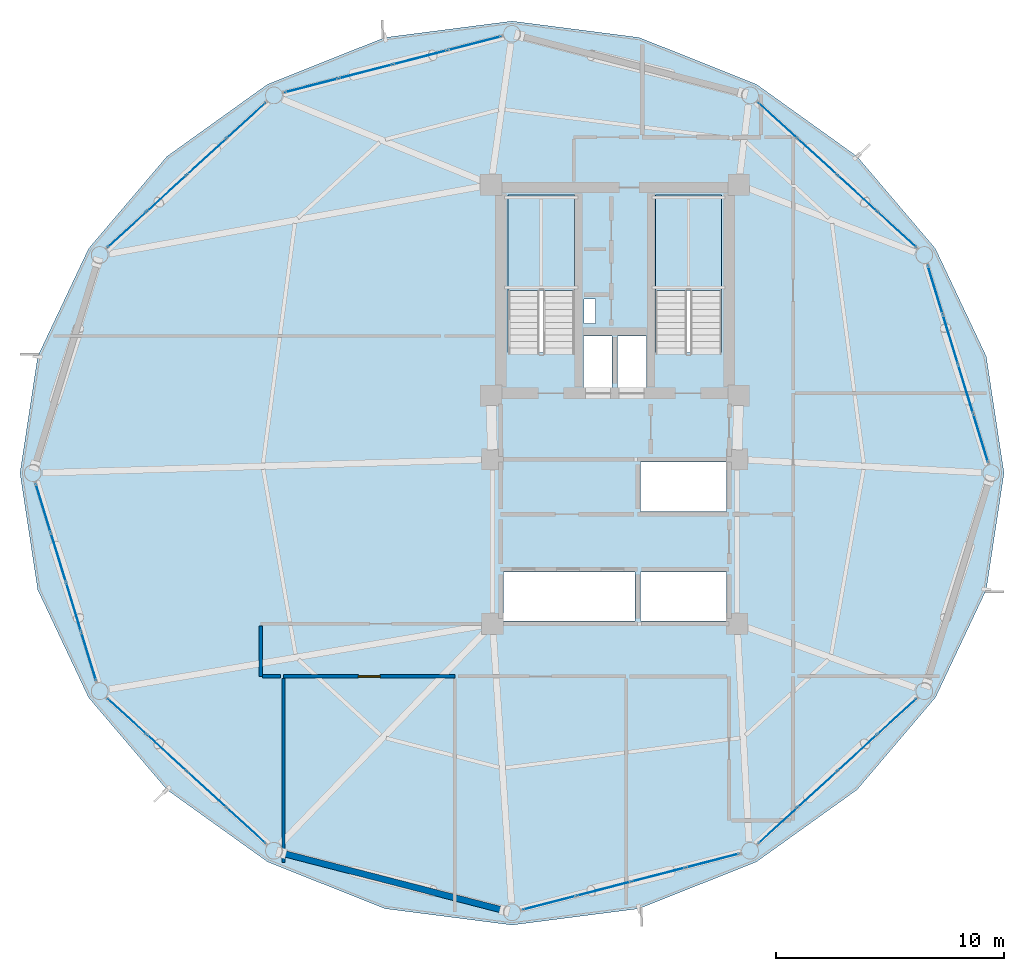
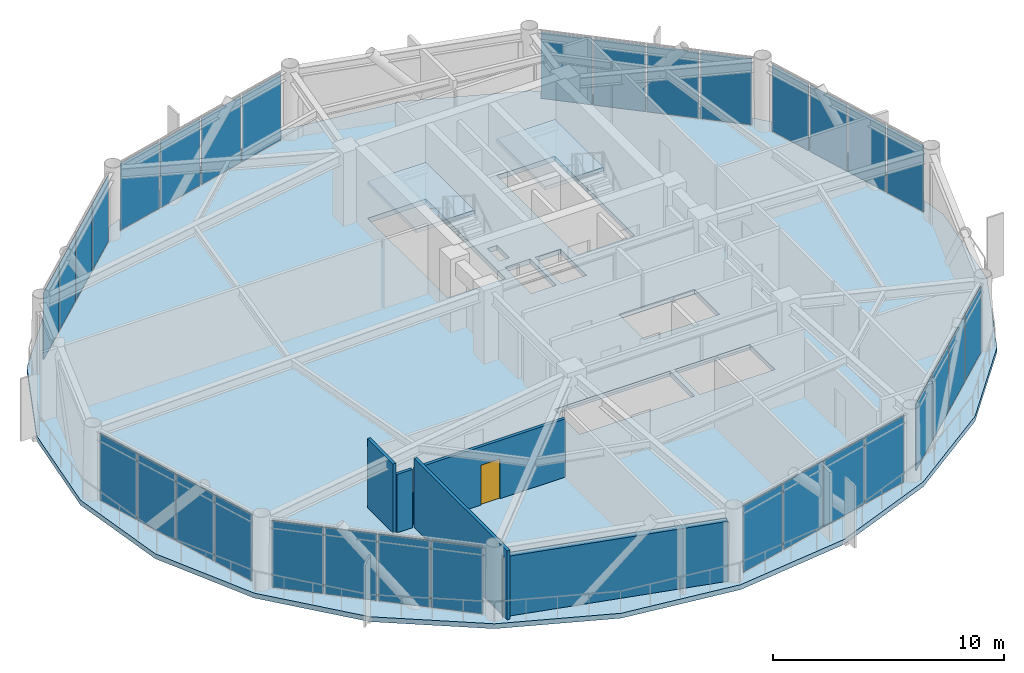
# One storey, part 20 of 26: 32 plates, 5 walls, 3 slabs, 1 door, 1 opening, 10 elements without a shape of their own.
"""IFC4 building model written with IfcOpenShell, lengths in metres."""

from ifc_helpers import new_model, si_unit, direction, frame, frame_2d, origin, origin_2d, place, context, subcontext, project, spatial, polyline, rectangle, outline, extrude, source, transform, mapped, material, layer, layer_set, type_object, type_shapes, element, fill, aggregate, save


model = new_model("IFC4")

# Units and contexts
model_context = context("Model", 3, precision=1e-05, world=origin(), true_north=direction((0.0, 1.0)))
body_context = subcontext(model_context, "Body", "Model", "MODEL_VIEW")
ifc_project = project(units=[si_unit("LENGTHUNIT", "METRE"), si_unit("AREAUNIT", "SQUARE_METRE"), si_unit("VOLUMEUNIT", "CUBIC_METRE"), si_unit("PLANEANGLEUNIT", "RADIAN"), si_unit("MASSUNIT", "GRAM", prefix="KILO")], contexts=[model_context])

# Site, building, storey
site_placement = place(None, origin())
site = spatial("IfcSite", under=ifc_project, at=site_placement, CompositionType="ELEMENT")
building_placement = place(site_placement, origin())
building = spatial("IfcBuilding", under=site, at=building_placement, Name="Varnakorn Sky Granary", CompositionType="ELEMENT")
storey_placement = place(building_placement, frame((0.0, 0.0, 138.300048828125)))
storey = spatial("IfcBuildingStorey", under=building, at=storey_placement, Name="L34", CompositionType="ELEMENT", Elevation=138.300048828125)

# Stair, slab
ifc_material_1 = material(Name="Concrete C40/50", Category="concrete")
stair_type = type_object("IfcStairType", Name="ST-MAIN-ASSEMBLY", PredefinedType="HALF_TURN_STAIR", material=ifc_material_1)
stair_1_placement = place(storey_placement, origin())
stair_1 = element("IfcStair", 1, at=stair_1_placement, inside=storey, type_object=stair_type, Name="L34 Protected Exit Stair ST-1", PredefinedType="HALF_TURN_STAIR")
ifc_layer_1 = layer(ifc_material_1, 0.199951171875, Name="Concrete C40/50")
ifc_layer_set_1 = layer_set([ifc_layer_1], Name="Concrete C40/50")
slab_type_1 = type_object("IfcSlabType", Name="ST-MAIN-LAND", PredefinedType="LANDING", material=ifc_layer_set_1)
slab_1_placement = place(storey_placement, frame((0.0, 0.0, 1.75)))
slab_1 = element("IfcSlab", 2, at=slab_1_placement, type_object=slab_type_1, Name="ST-1 landing 1", PredefinedType="LANDING", context=body_context, shape_type="SweptSolid", body=[
    extrude(outline(polyline([(1.239990234375, 8.0), (1.239990234375, 12.179931640625), (-1.669921875, 12.179931640625), (-1.669921875, 8.0), (1.239990234375, 8.0)])), origin(), (0.0, 0.0, 1.0), 0.199951171875),
])
aggregate(stair_1, [slab_1])

stair_2_placement = place(storey_placement, origin())
stair_2 = element("IfcStair", 3, at=stair_2_placement, inside=storey, type_object=stair_type, Name="L34 Protected Exit Stair ST-2", PredefinedType="HALF_TURN_STAIR")
slab_2_placement = place(storey_placement, frame((0.0, 0.0, 1.75)))
slab_2 = element("IfcSlab", 4, at=slab_2_placement, type_object=slab_type_1, Name="ST-2 landing 1", PredefinedType="LANDING", context=body_context, shape_type="SweptSolid", body=[
    extrude(outline(polyline([(7.679931640625, 8.0), (7.679931640625, 12.179931640625), (4.77001953125, 12.179931640625), (4.77001953125, 8.0), (7.679931640625, 8.0)])), origin(), (0.0, 0.0, 1.0), 0.199951171875),
])
aggregate(stair_2, [slab_2])

# Slab
ifc_material_2 = material(Name="Concrete C50/60", Category="concrete")
ifc_layer_2 = layer(ifc_material_2, 0.260009765625, Name="Concrete C50/60")
ifc_layer_set_2 = layer_set([ifc_layer_2], Name="Concrete C50/60")
slab_type_2 = type_object("IfcSlabType", Name="ST-SL-TWR-260", PredefinedType="FLOOR", material=ifc_layer_set_2)
slab_3_placement = place(storey_placement, frame((0.0, 0.0, -0.260009765625)))
element("IfcSlab", 5, at=slab_3_placement, inside=storey, type_object=slab_type_2, Name="Level L34 Structural Floor Slab", PredefinedType="FLOOR", context=body_context, shape_type="SweptSolid", body=[
    extrude(outline(polyline([(20.032958984375, 0.0), (19.255859375, 5.108154296875), (17.03125, 9.822998046875), (13.598876953125, 13.860107421875), (9.198974609375, 17.013916015625), (4.0615234375, 19.0634765625), (-1.5, 19.781005859375), (-7.0615234375, 19.0634765625), (-12.198974609375, 17.013916015625), (-16.598876953125, 13.860107421875), (-20.03125, 9.822998046875), (-22.255859375, 5.108154296875), (-23.032958984375, 0.0), (-22.255859375, -5.108154296875), (-20.03125, -9.822998046875), (-16.598876953125, -13.860107421875), (-12.198974609375, -17.013916015625), (-7.0615234375, -19.0634765625), (-1.5, -19.781005859375), (4.0615234375, -19.0634765625), (9.198974609375, -17.013916015625), (13.598876953125, -13.860107421875), (17.03125, -9.822998046875), (19.255859375, -5.108154296875), (20.032958984375, 0.0)]), holes=[polyline([(1.239990234375, 5.27490234375), (1.239990234375, 12.179931640625), (-1.669921875, 12.179931640625), (-1.669921875, 5.27490234375), (1.239990234375, 5.27490234375)]), polyline([(7.679931640625, 5.27490234375), (7.679931640625, 12.179931640625), (4.77001953125, 12.179931640625), (4.77001953125, 5.27490234375), (7.679931640625, 5.27490234375)]), polyline([(1.659912109375, 6.550048828125), (2.14990234375, 6.550048828125), (2.14990234375, 7.6201171875), (1.659912109375, 7.6201171875), (1.659912109375, 6.550048828125)]), polyline([(1.6201171875, 3.739990234375), (2.8798828125, 3.739990234375), (2.8798828125, 6.010009765625), (1.6201171875, 6.010009765625), (1.6201171875, 3.739990234375)]), polyline([(3.1201171875, 3.739990234375), (4.3798828125, 3.739990234375), (4.3798828125, 6.010009765625), (3.1201171875, 6.010009765625), (3.1201171875, 3.739990234375)]), polyline([(4.1201171875, -1.679931640625), (7.8798828125, -1.679931640625), (7.8798828125, 0.47998046875), (4.1201171875, 0.47998046875), (4.1201171875, -1.679931640625)]), polyline([(-1.8798828125, -6.47998046875), (3.8798828125, -6.47998046875), (3.8798828125, -4.320068359375), (-1.8798828125, -4.320068359375), (-1.8798828125, -6.47998046875)]), polyline([(4.1201171875, -6.47998046875), (7.8798828125, -6.47998046875), (7.8798828125, -4.320068359375), (4.1201171875, -4.320068359375), (4.1201171875, -6.47998046875)])]), origin(), (0.0, 0.0, 1.0), 0.260009765625),
])

# Curtain wall, plates
ifc_material_3 = material(Name="Anodised Bronze Aluminium Alloy 6063-T6", Category="aluminium")
ifc_layer_3 = layer(ifc_material_3, 0.179931640625, Name="Anodised Bronze Aluminium Alloy 6063-T6")
ifc_layer_set_3 = layer_set([ifc_layer_3], Name="Anodised Bronze Aluminium Alloy 6063-T6")
curtain_wall_type = type_object("IfcCurtainWallType", Name="CW-FRM-2", PredefinedType="USERDEFINED", material=ifc_layer_set_3)
curtain_wall_1_placement = place(storey_placement, origin())
curtain_wall_1 = element("IfcCurtainWall", 6, at=curtain_wall_1_placement, inside=storey, type_object=curtain_wall_type, Name="Unitised Curtain Wall CW4 CW-L34-B01", ObjectType="CURTAIN WALL", PredefinedType="USERDEFINED")
ifc_material_4 = material(Name="Low-E Tinted Laminated Glass", Category="glass")
ifc_layer_4 = layer(ifc_material_4, 0.02587890625, Name="Low-E Tinted Laminated Glass")
ifc_layer_set_4 = layer_set([ifc_layer_4], Name="Low-E Tinted Laminated Glass")
plate_type = type_object("IfcPlateType", Name="CW-FRM-2-PNL", PredefinedType="CURTAIN_PANEL")
shared_shape_1 = source(origin(), body_context, "Body", "SweptSolid", [
    extrude(rectangle(XDim=2.171142578125, YDim=0.02587890625, at=origin_2d()), origin(), (0.0, 0.0, 1.0), 3.510009765625),
])
plate_1_placement = place(storey_placement, frame((17.02294921875, 8.021484375, 0.06494140625), z_axis=(0.0, 0.0, 1.0), x_axis=(0.293192768083, -0.956053346181, 0.0)))
plate_1 = element("IfcPlate", 7, at=plate_1_placement, type_object=plate_type, material=ifc_layer_set_4, Name="CW4 vision glazing unit 1.1", PredefinedType="CURTAIN_PANEL", context=body_context, shape_type="MappedRepresentation", body=[
    mapped(shared_shape_1, transform((0.0, 0.0, 0.0), x_axis=(1.0, 0.0, 0.0), y_axis=(0.0, 1.0, 0.0), z_axis=(0.0, 0.0, 1.0), scale=1.0)),
])
plate_2_placement = place(storey_placement, frame((19.014892578125, 1.5263671875, 0.06494140625), z_axis=(0.0, 0.0, 1.0), x_axis=(0.293192768083, -0.956053346181, 0.0)))
plate_2 = element("IfcPlate", 8, at=plate_2_placement, type_object=plate_type, material=ifc_layer_set_4, Name="CW4 vision glazing unit 4.1", PredefinedType="CURTAIN_PANEL", context=body_context, shape_type="MappedRepresentation", body=[
    mapped(shared_shape_1, transform((0.0, 0.0, 0.0), x_axis=(1.0, 0.0, 0.0), y_axis=(0.0, 1.0, 0.0), z_axis=(0.0, 0.0, 1.0), scale=1.0)),
])

curtain_wall_2_placement = place(storey_placement, origin())
curtain_wall_2 = element("IfcCurtainWall", 9, at=curtain_wall_2_placement, inside=storey, type_object=curtain_wall_type, Name="Unitised Curtain Wall CW4 CW-L34-B07", ObjectType="CURTAIN WALL", PredefinedType="USERDEFINED")
plate_3_placement = place(storey_placement, frame((-20.02294921875, -8.021484375, 0.06494140625), z_axis=(0.0, 0.0, 1.0), x_axis=(-0.293192768083, 0.956053346181, 0.0)))
plate_3 = element("IfcPlate", 10, at=plate_3_placement, type_object=plate_type, material=ifc_layer_set_4, Name="CW4 vision glazing unit 1.1", PredefinedType="CURTAIN_PANEL", context=body_context, shape_type="MappedRepresentation", body=[
    mapped(shared_shape_1, transform((0.0, 0.0, 0.0), x_axis=(1.0, 0.0, 0.0), y_axis=(0.0, 1.0, 0.0), z_axis=(0.0, 0.0, 1.0), scale=1.0)),
])
plate_4_placement = place(storey_placement, frame((-22.014892578125, -1.5263671875, 0.06494140625), z_axis=(0.0, 0.0, 1.0), x_axis=(-0.293192768083, 0.956053346181, 0.0)))
plate_4 = element("IfcPlate", 11, at=plate_4_placement, type_object=plate_type, material=ifc_layer_set_4, Name="CW4 vision glazing unit 4.1", PredefinedType="CURTAIN_PANEL", context=body_context, shape_type="MappedRepresentation", body=[
    mapped(shared_shape_1, transform((0.0, 0.0, 0.0), x_axis=(1.0, 0.0, 0.0), y_axis=(0.0, 1.0, 0.0), z_axis=(0.0, 0.0, 1.0), scale=1.0)),
])

# Plate
ifc_material_5 = material(Name="Opaque Insulated Aluminium Shadow-Box Unit", Category="aluminium")
ifc_layer_5 = layer(ifc_material_5, 0.02587890625, Name="Opaque Insulated Aluminium Shadow-Box Unit")
ifc_layer_set_5 = layer_set([ifc_layer_5], Name="Opaque Insulated Aluminium Shadow-Box Unit")
shared_shape_2 = source(origin(), body_context, "Body", "SweptSolid", [
    extrude(rectangle(XDim=2.206298828125, YDim=0.02587890625, at=origin_2d()), origin(), (0.0, 0.0, 1.0), 3.510009765625),
])
plate_5_placement = place(storey_placement, frame((17.685302734375, 5.862060546875, 0.06494140625), z_axis=(0.0, 0.0, 1.0), x_axis=(0.293192768083, -0.956053346181, 0.0)))
plate_5 = element("IfcPlate", 12, at=plate_5_placement, type_object=plate_type, material=ifc_layer_set_5, Name="CW4 opaque insulated shadow-box unit 2.1", PredefinedType="CURTAIN_PANEL", context=body_context, shape_type="MappedRepresentation", body=[
    mapped(shared_shape_2, transform((0.0, 0.0, 0.0), x_axis=(1.0, 0.0, 0.0), y_axis=(0.0, 1.0, 0.0), z_axis=(0.0, 0.0, 1.0), scale=1.0)),
])

plate_6_placement = place(storey_placement, frame((18.3525390625, 3.685791015625, 0.06494140625), z_axis=(0.0, 0.0, 1.0), x_axis=(0.293192768083, -0.956053346181, 0.0)))
plate_6 = element("IfcPlate", 13, at=plate_6_placement, type_object=plate_type, material=ifc_layer_set_5, Name="CW4 opaque insulated shadow-box unit 3.1", PredefinedType="CURTAIN_PANEL", context=body_context, shape_type="MappedRepresentation", body=[
    mapped(shared_shape_2, transform((0.0, 0.0, 0.0), x_axis=(1.0, 0.0, 0.0), y_axis=(0.0, 1.0, 0.0), z_axis=(0.0, 0.0, 1.0), scale=1.0)),
])

aggregate(curtain_wall_1, [plate_1, plate_5, plate_6, plate_2])

plate_7_placement = place(storey_placement, frame((-20.685302734375, -5.862060546875, 0.06494140625), z_axis=(0.0, 0.0, 1.0), x_axis=(-0.293192768083, 0.956053346181, 0.0)))
plate_7 = element("IfcPlate", 14, at=plate_7_placement, type_object=plate_type, material=ifc_layer_set_5, Name="CW4 opaque insulated shadow-box unit 2.1", PredefinedType="CURTAIN_PANEL", context=body_context, shape_type="MappedRepresentation", body=[
    mapped(shared_shape_2, transform((0.0, 0.0, 0.0), x_axis=(1.0, 0.0, 0.0), y_axis=(0.0, 1.0, 0.0), z_axis=(0.0, 0.0, 1.0), scale=1.0)),
])

plate_8_placement = place(storey_placement, frame((-21.3525390625, -3.685791015625, 0.06494140625), z_axis=(0.0, 0.0, 1.0), x_axis=(-0.293192768083, 0.956053346181, 0.0)))
plate_8 = element("IfcPlate", 15, at=plate_8_placement, type_object=plate_type, material=ifc_layer_set_5, Name="CW4 opaque insulated shadow-box unit 3.1", PredefinedType="CURTAIN_PANEL", context=body_context, shape_type="MappedRepresentation", body=[
    mapped(shared_shape_2, transform((0.0, 0.0, 0.0), x_axis=(1.0, 0.0, 0.0), y_axis=(0.0, 1.0, 0.0), z_axis=(0.0, 0.0, 1.0), scale=1.0)),
])

aggregate(curtain_wall_2, [plate_3, plate_7, plate_8, plate_4])

# Curtain wall, plates
curtain_wall_3_placement = place(storey_placement, origin())
curtain_wall_3 = element("IfcCurtainWall", 16, at=curtain_wall_3_placement, inside=storey, type_object=curtain_wall_type, Name="Unitised Curtain Wall CW4 CW-L34-B02", ObjectType="CURTAIN WALL", PredefinedType="USERDEFINED")
shared_shape_3 = source(origin(), body_context, "Body", "SweptSolid", [
    extrude(rectangle(XDim=2.261474609375, YDim=0.02587890625, at=origin_2d()), origin(), (0.0, 0.0, 1.0), 3.510009765625),
])
plate_9_placement = place(storey_placement, frame((10.134765625, 15.4287109375, 0.06494140625), z_axis=(0.0, 0.0, 1.0), x_axis=(0.737416748236, -0.675438035219, 0.0)))
plate_9 = element("IfcPlate", 17, at=plate_9_placement, type_object=plate_type, material=ifc_layer_set_4, Name="CW4 vision glazing unit 1.1", PredefinedType="CURTAIN_PANEL", context=body_context, shape_type="MappedRepresentation", body=[
    mapped(shared_shape_3, transform((0.0, 0.0, 0.0), x_axis=(1.0, 0.0, 0.0), y_axis=(0.0, 1.0, 0.0), z_axis=(0.0, 0.0, 1.0), scale=1.0)),
])
plate_10_placement = place(storey_placement, frame((15.34423828125, 10.656982421875, 0.06494140625), z_axis=(0.0, 0.0, 1.0), x_axis=(0.737416748236, -0.675438035219, 0.0)))
plate_10 = element("IfcPlate", 18, at=plate_10_placement, type_object=plate_type, material=ifc_layer_set_4, Name="CW4 vision glazing unit 4.1", PredefinedType="CURTAIN_PANEL", context=body_context, shape_type="MappedRepresentation", body=[
    mapped(shared_shape_3, transform((0.0, 0.0, 0.0), x_axis=(1.0, 0.0, 0.0), y_axis=(0.0, 1.0, 0.0), z_axis=(0.0, 0.0, 1.0), scale=1.0)),
])

curtain_wall_4_placement = place(storey_placement, origin())
curtain_wall_4 = element("IfcCurtainWall", 19, at=curtain_wall_4_placement, inside=storey, type_object=curtain_wall_type, Name="Unitised Curtain Wall CW4 CW-L34-B05", ObjectType="CURTAIN WALL", PredefinedType="USERDEFINED")
plate_11_placement = place(storey_placement, frame((-18.34423828125, 10.656982421875, 0.06494140625), z_axis=(0.0, 0.0, 1.0), x_axis=(0.737416748236, 0.675438035219, 0.0)))
plate_11 = element("IfcPlate", 20, at=plate_11_placement, type_object=plate_type, material=ifc_layer_set_4, Name="CW4 vision glazing unit 1.1", PredefinedType="CURTAIN_PANEL", context=body_context, shape_type="MappedRepresentation", body=[
    mapped(shared_shape_3, transform((0.0, 0.0, 0.0), x_axis=(1.0, 0.0, 0.0), y_axis=(0.0, 1.0, 0.0), z_axis=(0.0, 0.0, 1.0), scale=1.0)),
])
plate_12_placement = place(storey_placement, frame((-13.134765625, 15.4287109375, 0.06494140625), z_axis=(0.0, 0.0, 1.0), x_axis=(0.737416748236, 0.675438035219, 0.0)))
plate_12 = element("IfcPlate", 21, at=plate_12_placement, type_object=plate_type, material=ifc_layer_set_4, Name="CW4 vision glazing unit 4.1", PredefinedType="CURTAIN_PANEL", context=body_context, shape_type="MappedRepresentation", body=[
    mapped(shared_shape_3, transform((0.0, 0.0, 0.0), x_axis=(1.0, 0.0, 0.0), y_axis=(0.0, 1.0, 0.0), z_axis=(0.0, 0.0, 1.0), scale=1.0)),
])

curtain_wall_5_placement = place(storey_placement, origin())
curtain_wall_5 = element("IfcCurtainWall", 22, at=curtain_wall_5_placement, inside=storey, type_object=curtain_wall_type, Name="Unitised Curtain Wall CW4 CW-L34-B08", ObjectType="CURTAIN WALL", PredefinedType="USERDEFINED")
plate_13_placement = place(storey_placement, frame((-13.134765625, -15.4287109375, 0.06494140625), z_axis=(0.0, 0.0, 1.0), x_axis=(-0.737416748236, 0.675438035219, 0.0)))
plate_13 = element("IfcPlate", 23, at=plate_13_placement, type_object=plate_type, material=ifc_layer_set_4, Name="CW4 vision glazing unit 1.1", PredefinedType="CURTAIN_PANEL", context=body_context, shape_type="MappedRepresentation", body=[
    mapped(shared_shape_3, transform((0.0, 0.0, 0.0), x_axis=(1.0, 0.0, 0.0), y_axis=(0.0, 1.0, 0.0), z_axis=(0.0, 0.0, 1.0), scale=1.0)),
])
plate_14_placement = place(storey_placement, frame((-18.34423828125, -10.656982421875, 0.06494140625), z_axis=(0.0, 0.0, 1.0), x_axis=(-0.737416748236, 0.675438035219, 0.0)))
plate_14 = element("IfcPlate", 24, at=plate_14_placement, type_object=plate_type, material=ifc_layer_set_4, Name="CW4 vision glazing unit 4.1", PredefinedType="CURTAIN_PANEL", context=body_context, shape_type="MappedRepresentation", body=[
    mapped(shared_shape_3, transform((0.0, 0.0, 0.0), x_axis=(1.0, 0.0, 0.0), y_axis=(0.0, 1.0, 0.0), z_axis=(0.0, 0.0, 1.0), scale=1.0)),
])

curtain_wall_6_placement = place(storey_placement, origin())
curtain_wall_6 = element("IfcCurtainWall", 25, at=curtain_wall_6_placement, inside=storey, type_object=curtain_wall_type, Name="Unitised Curtain Wall CW4 CW-L34-B11", ObjectType="CURTAIN WALL", PredefinedType="USERDEFINED")
plate_15_placement = place(storey_placement, frame((15.34423828125, -10.656982421875, 0.06494140625), z_axis=(0.0, 0.0, 1.0), x_axis=(-0.737416748236, -0.675438035219, 0.0)))
plate_15 = element("IfcPlate", 26, at=plate_15_placement, type_object=plate_type, material=ifc_layer_set_4, Name="CW4 vision glazing unit 1.1", PredefinedType="CURTAIN_PANEL", context=body_context, shape_type="MappedRepresentation", body=[
    mapped(shared_shape_3, transform((0.0, 0.0, 0.0), x_axis=(1.0, 0.0, 0.0), y_axis=(0.0, 1.0, 0.0), z_axis=(0.0, 0.0, 1.0), scale=1.0)),
])
plate_16_placement = place(storey_placement, frame((10.134765625, -15.4287109375, 0.06494140625), z_axis=(0.0, 0.0, 1.0), x_axis=(-0.737416748236, -0.675438035219, 0.0)))
plate_16 = element("IfcPlate", 27, at=plate_16_placement, type_object=plate_type, material=ifc_layer_set_4, Name="CW4 vision glazing unit 4.1", PredefinedType="CURTAIN_PANEL", context=body_context, shape_type="MappedRepresentation", body=[
    mapped(shared_shape_3, transform((0.0, 0.0, 0.0), x_axis=(1.0, 0.0, 0.0), y_axis=(0.0, 1.0, 0.0), z_axis=(0.0, 0.0, 1.0), scale=1.0)),
])

# Plate
shared_shape_4 = source(origin(), body_context, "Body", "SweptSolid", [
    extrude(rectangle(XDim=2.296630859375, YDim=0.02587890625, at=origin_2d()), origin(), (0.0, 0.0, 1.0), 3.510009765625),
])
plate_17_placement = place(storey_placement, frame((11.866943359375, 13.842041015625, 0.06494140625), z_axis=(0.0, 0.0, 1.0), x_axis=(0.737416748236, -0.675438035219, 0.0)))
plate_17 = element("IfcPlate", 28, at=plate_17_placement, type_object=plate_type, material=ifc_layer_set_5, Name="CW4 opaque insulated shadow-box unit 2.1", PredefinedType="CURTAIN_PANEL", context=body_context, shape_type="MappedRepresentation", body=[
    mapped(shared_shape_4, transform((0.0, 0.0, 0.0), x_axis=(1.0, 0.0, 0.0), y_axis=(0.0, 1.0, 0.0), z_axis=(0.0, 0.0, 1.0), scale=1.0)),
])

plate_18_placement = place(storey_placement, frame((13.612060546875, 12.24365234375, 0.06494140625), z_axis=(0.0, 0.0, 1.0), x_axis=(0.737416748236, -0.675438035219, 0.0)))
plate_18 = element("IfcPlate", 29, at=plate_18_placement, type_object=plate_type, material=ifc_layer_set_5, Name="CW4 opaque insulated shadow-box unit 3.1", PredefinedType="CURTAIN_PANEL", context=body_context, shape_type="MappedRepresentation", body=[
    mapped(shared_shape_4, transform((0.0, 0.0, 0.0), x_axis=(1.0, 0.0, 0.0), y_axis=(0.0, 1.0, 0.0), z_axis=(0.0, 0.0, 1.0), scale=1.0)),
])

aggregate(curtain_wall_3, [plate_9, plate_17, plate_18, plate_10])

plate_19_placement = place(storey_placement, frame((-16.612060546875, 12.24365234375, 0.06494140625), z_axis=(0.0, 0.0, 1.0), x_axis=(0.737416748236, 0.675438035219, 0.0)))
plate_19 = element("IfcPlate", 30, at=plate_19_placement, type_object=plate_type, material=ifc_layer_set_5, Name="CW4 opaque insulated shadow-box unit 2.1", PredefinedType="CURTAIN_PANEL", context=body_context, shape_type="MappedRepresentation", body=[
    mapped(shared_shape_4, transform((0.0, 0.0, 0.0), x_axis=(1.0, 0.0, 0.0), y_axis=(0.0, 1.0, 0.0), z_axis=(0.0, 0.0, 1.0), scale=1.0)),
])

plate_20_placement = place(storey_placement, frame((-14.866943359375, 13.842041015625, 0.06494140625), z_axis=(0.0, 0.0, 1.0), x_axis=(0.737416748236, 0.675438035219, 0.0)))
plate_20 = element("IfcPlate", 31, at=plate_20_placement, type_object=plate_type, material=ifc_layer_set_5, Name="CW4 opaque insulated shadow-box unit 3.1", PredefinedType="CURTAIN_PANEL", context=body_context, shape_type="MappedRepresentation", body=[
    mapped(shared_shape_4, transform((0.0, 0.0, 0.0), x_axis=(1.0, 0.0, 0.0), y_axis=(0.0, 1.0, 0.0), z_axis=(0.0, 0.0, 1.0), scale=1.0)),
])

aggregate(curtain_wall_4, [plate_11, plate_19, plate_20, plate_12])

plate_21_placement = place(storey_placement, frame((-14.866943359375, -13.842041015625, 0.06494140625), z_axis=(0.0, 0.0, 1.0), x_axis=(-0.737416748236, 0.675438035219, 0.0)))
plate_21 = element("IfcPlate", 32, at=plate_21_placement, type_object=plate_type, material=ifc_layer_set_5, Name="CW4 opaque insulated shadow-box unit 2.1", PredefinedType="CURTAIN_PANEL", context=body_context, shape_type="MappedRepresentation", body=[
    mapped(shared_shape_4, transform((0.0, 0.0, 0.0), x_axis=(1.0, 0.0, 0.0), y_axis=(0.0, 1.0, 0.0), z_axis=(0.0, 0.0, 1.0), scale=1.0)),
])

plate_22_placement = place(storey_placement, frame((-16.612060546875, -12.24365234375, 0.06494140625), z_axis=(0.0, 0.0, 1.0), x_axis=(-0.737416748236, 0.675438035219, 0.0)))
plate_22 = element("IfcPlate", 33, at=plate_22_placement, type_object=plate_type, material=ifc_layer_set_5, Name="CW4 opaque insulated shadow-box unit 3.1", PredefinedType="CURTAIN_PANEL", context=body_context, shape_type="MappedRepresentation", body=[
    mapped(shared_shape_4, transform((0.0, 0.0, 0.0), x_axis=(1.0, 0.0, 0.0), y_axis=(0.0, 1.0, 0.0), z_axis=(0.0, 0.0, 1.0), scale=1.0)),
])

aggregate(curtain_wall_5, [plate_13, plate_21, plate_22, plate_14])

plate_23_placement = place(storey_placement, frame((13.612060546875, -12.24365234375, 0.06494140625), z_axis=(0.0, 0.0, 1.0), x_axis=(-0.737416748236, -0.675438035219, 0.0)))
plate_23 = element("IfcPlate", 34, at=plate_23_placement, type_object=plate_type, material=ifc_layer_set_5, Name="CW4 opaque insulated shadow-box unit 2.1", PredefinedType="CURTAIN_PANEL", context=body_context, shape_type="MappedRepresentation", body=[
    mapped(shared_shape_4, transform((0.0, 0.0, 0.0), x_axis=(1.0, 0.0, 0.0), y_axis=(0.0, 1.0, 0.0), z_axis=(0.0, 0.0, 1.0), scale=1.0)),
])

plate_24_placement = place(storey_placement, frame((11.866943359375, -13.842041015625, 0.06494140625), z_axis=(0.0, 0.0, 1.0), x_axis=(-0.737416748236, -0.675438035219, 0.0)))
plate_24 = element("IfcPlate", 35, at=plate_24_placement, type_object=plate_type, material=ifc_layer_set_5, Name="CW4 opaque insulated shadow-box unit 3.1", PredefinedType="CURTAIN_PANEL", context=body_context, shape_type="MappedRepresentation", body=[
    mapped(shared_shape_4, transform((0.0, 0.0, 0.0), x_axis=(1.0, 0.0, 0.0), y_axis=(0.0, 1.0, 0.0), z_axis=(0.0, 0.0, 1.0), scale=1.0)),
])

aggregate(curtain_wall_6, [plate_15, plate_23, plate_24, plate_16])

# Curtain wall, plates
curtain_wall_7_placement = place(storey_placement, origin())
curtain_wall_7 = element("IfcCurtainWall", 36, at=curtain_wall_7_placement, inside=storey, type_object=curtain_wall_type, Name="Unitised Curtain Wall CW4 CW-L34-B04", ObjectType="CURTAIN WALL", PredefinedType="USERDEFINED")
shared_shape_5 = source(origin(), body_context, "Body", "SweptSolid", [
    extrude(rectangle(XDim=2.365966796875, YDim=0.02587890625, at=origin_2d()), origin(), (0.0, 0.0, 1.0), 3.510009765625),
])
plate_25_placement = place(storey_placement, frame((-10.28369140625, 16.96142578125, 0.06494140625), z_axis=(0.0, 0.0, 1.0), x_axis=(0.968200842931, 0.250174194808, 0.0)))
plate_25 = element("IfcPlate", 37, at=plate_25_placement, type_object=plate_type, material=ifc_layer_set_4, Name="CW4 vision glazing unit 1.1", PredefinedType="CURTAIN_PANEL", context=body_context, shape_type="MappedRepresentation", body=[
    mapped(shared_shape_5, transform((0.0, 0.0, 0.0), x_axis=(1.0, 0.0, 0.0), y_axis=(0.0, 1.0, 0.0), z_axis=(0.0, 0.0, 1.0), scale=1.0)),
])
plate_26_placement = place(storey_placement, frame((-3.14013671875, 18.80712890625, 0.06494140625), z_axis=(0.0, 0.0, 1.0), x_axis=(0.968200842931, 0.250174194808, 0.0)))
plate_26 = element("IfcPlate", 38, at=plate_26_placement, type_object=plate_type, material=ifc_layer_set_4, Name="CW4 vision glazing unit 4.1", PredefinedType="CURTAIN_PANEL", context=body_context, shape_type="MappedRepresentation", body=[
    mapped(shared_shape_5, transform((0.0, 0.0, 0.0), x_axis=(1.0, 0.0, 0.0), y_axis=(0.0, 1.0, 0.0), z_axis=(0.0, 0.0, 1.0), scale=1.0)),
])

curtain_wall_8_placement = place(storey_placement, origin())
curtain_wall_8 = element("IfcCurtainWall", 39, at=curtain_wall_8_placement, inside=storey, type_object=curtain_wall_type, Name="Unitised Curtain Wall CW4 CW-L34-B10", ObjectType="CURTAIN WALL", PredefinedType="USERDEFINED")
plate_27_placement = place(storey_placement, frame((7.28369140625, -16.96142578125, 0.06494140625), z_axis=(0.0, 0.0, 1.0), x_axis=(-0.968200842931, -0.250174194808, 0.0)))
plate_27 = element("IfcPlate", 40, at=plate_27_placement, type_object=plate_type, material=ifc_layer_set_4, Name="CW4 vision glazing unit 1.1", PredefinedType="CURTAIN_PANEL", context=body_context, shape_type="MappedRepresentation", body=[
    mapped(shared_shape_5, transform((0.0, 0.0, 0.0), x_axis=(1.0, 0.0, 0.0), y_axis=(0.0, 1.0, 0.0), z_axis=(0.0, 0.0, 1.0), scale=1.0)),
])
plate_28_placement = place(storey_placement, frame((0.14013671875, -18.80712890625, 0.06494140625), z_axis=(0.0, 0.0, 1.0), x_axis=(-0.968200842931, -0.250174194808, 0.0)))
plate_28 = element("IfcPlate", 41, at=plate_28_placement, type_object=plate_type, material=ifc_layer_set_4, Name="CW4 vision glazing unit 4.1", PredefinedType="CURTAIN_PANEL", context=body_context, shape_type="MappedRepresentation", body=[
    mapped(shared_shape_5, transform((0.0, 0.0, 0.0), x_axis=(1.0, 0.0, 0.0), y_axis=(0.0, 1.0, 0.0), z_axis=(0.0, 0.0, 1.0), scale=1.0)),
])

# Plate
shared_shape_6 = source(origin(), body_context, "Body", "SweptSolid", [
    extrude(rectangle(XDim=2.401123046875, YDim=0.02587890625, at=origin_2d()), origin(), (0.0, 0.0, 1.0), 3.510009765625),
])
type_shapes(plate_type, [shared_shape_1, shared_shape_2, shared_shape_3, shared_shape_4, shared_shape_5, shared_shape_6])
plate_29_placement = place(storey_placement, frame((-7.908203125, 17.5751953125, 0.06494140625), z_axis=(0.0, 0.0, 1.0), x_axis=(0.968200842931, 0.250174194808, 0.0)))
plate_29 = element("IfcPlate", 42, at=plate_29_placement, type_object=plate_type, material=ifc_layer_set_5, Name="CW4 opaque insulated shadow-box unit 2.1", PredefinedType="CURTAIN_PANEL", context=body_context, shape_type="MappedRepresentation", body=[
    mapped(shared_shape_6, transform((0.0, 0.0, 0.0), x_axis=(1.0, 0.0, 0.0), y_axis=(0.0, 1.0, 0.0), z_axis=(0.0, 0.0, 1.0), scale=1.0)),
])

plate_30_placement = place(storey_placement, frame((-5.515869140625, 18.193359375, 0.06494140625), z_axis=(0.0, 0.0, 1.0), x_axis=(0.968200842931, 0.250174194808, 0.0)))
plate_30 = element("IfcPlate", 43, at=plate_30_placement, type_object=plate_type, material=ifc_layer_set_5, Name="CW4 opaque insulated shadow-box unit 3.1", PredefinedType="CURTAIN_PANEL", context=body_context, shape_type="MappedRepresentation", body=[
    mapped(shared_shape_6, transform((0.0, 0.0, 0.0), x_axis=(1.0, 0.0, 0.0), y_axis=(0.0, 1.0, 0.0), z_axis=(0.0, 0.0, 1.0), scale=1.0)),
])

aggregate(curtain_wall_7, [plate_25, plate_29, plate_30, plate_26])

plate_31_placement = place(storey_placement, frame((4.908203125, -17.5751953125, 0.06494140625), z_axis=(0.0, 0.0, 1.0), x_axis=(-0.968200842931, -0.250174194808, 0.0)))
plate_31 = element("IfcPlate", 44, at=plate_31_placement, type_object=plate_type, material=ifc_layer_set_5, Name="CW4 opaque insulated shadow-box unit 2.1", PredefinedType="CURTAIN_PANEL", context=body_context, shape_type="MappedRepresentation", body=[
    mapped(shared_shape_6, transform((0.0, 0.0, 0.0), x_axis=(1.0, 0.0, 0.0), y_axis=(0.0, 1.0, 0.0), z_axis=(0.0, 0.0, 1.0), scale=1.0)),
])

plate_32_placement = place(storey_placement, frame((2.515869140625, -18.193359375, 0.06494140625), z_axis=(0.0, 0.0, 1.0), x_axis=(-0.968200842931, -0.250174194808, 0.0)))
plate_32 = element("IfcPlate", 45, at=plate_32_placement, type_object=plate_type, material=ifc_layer_set_5, Name="CW4 opaque insulated shadow-box unit 3.1", PredefinedType="CURTAIN_PANEL", context=body_context, shape_type="MappedRepresentation", body=[
    mapped(shared_shape_6, transform((0.0, 0.0, 0.0), x_axis=(1.0, 0.0, 0.0), y_axis=(0.0, 1.0, 0.0), z_axis=(0.0, 0.0, 1.0), scale=1.0)),
])

aggregate(curtain_wall_8, [plate_27, plate_31, plate_32, plate_28])

# Wall
ifc_material_6 = material(Name="Precast concrete C40/50", Category="concrete")
ifc_layer_6 = layer(ifc_material_6, 0.280029296875, Name="Precast concrete C40/50")
ifc_layer_set_6 = layer_set([ifc_layer_6], Name="Precast concrete C40/50")
wall_type_1 = type_object("IfcWallType", Name="WT-EW-CRN-280", PredefinedType="SOLIDWALL", material=ifc_layer_set_6)
wall_1_placement = place(storey_placement, frame((-1.8251953125, -19.14697265625, 0.0), z_axis=(0.0, 0.0, 1.0), x_axis=(-0.968200261144, 0.250176446375, 0.0)))
element("IfcWall", 46, at=wall_1_placement, inside=storey, type_object=wall_type_1, Name="Agritech Insulated Precast Facade Wall L34-P09", PredefinedType="SOLIDWALL", context=body_context, shape_type="SweptSolid", body=[
    extrude(rectangle(XDim=10.094482421875, YDim=0.280029296875, at=frame_2d((5.04736328125, 0.0))), origin(), (0.0, 0.0, 1.0), 3.159912109375),
])

# Wall, opening, door
ifc_material_7 = material(Name="Gypsum Plasterboard on Steel Stud", Category="steel")
ifc_layer_7 = layer(ifc_material_7, 0.14990234375, Name="Gypsum Plasterboard on Steel Stud")
ifc_layer_set_7 = layer_set([ifc_layer_7], Name="Gypsum Plasterboard on Steel Stud")
wall_type_2 = type_object("IfcWallType", Name="WT-PART-150", PredefinedType="PARTITIONING", material=ifc_layer_set_7)
wall_2_placement = place(storey_placement, frame((-11.5, -8.89990234375, 0.0), z_axis=(0.0, 0.0, 1.0), x_axis=(1.0, 0.0, 0.0)))
wall_2 = element("IfcWall", 47, at=wall_2_placement, inside=storey, type_object=wall_type_2, Name="Interior Partition Wall L34-021", PredefinedType="PARTITIONING", context=body_context, shape_type="SweptSolid", body=[
    extrude(rectangle(XDim=7.5, YDim=0.14990234375, at=frame_2d((3.75, 0.0))), origin(), (0.0, 0.0, 1.0), 3.072021484375),
])
opening_placement = place(wall_2_placement, frame((3.27490234375, 0.0, 0.0)))
opening = element("IfcOpeningElement", 48, at=opening_placement, cuts=wall_2, Name="Opening ID-95", PredefinedType="OPENING", context=body_context, shape_type="SweptSolid", body=[
    extrude(rectangle(XDim=0.949951171875, YDim=2.10009765625, at=frame_2d((0.47509765625, 1.050048828125))), frame((0.0, 0.0849609375, 0.0), z_axis=(0.0, -1.0, 0.0), x_axis=(1.0, 0.0, 0.0)), (0.0, 0.0, 1.0), 0.169921875),
])
ifc_material_8 = material(Name="Solid-Core Teak Veneer Leaf", Category="timber")
door_type = type_object("IfcDoorType", Name="DR-INT-950", OperationType="NOTDEFINED", PredefinedType="DOOR", material=ifc_material_8)
door_placement = place(opening_placement, origin())
door = element("IfcDoor", 49, at=door_placement, inside=storey, type_object=door_type, Name="Interior Door L34-021-1", OperationType="SINGLE_SWING_RIGHT", OverallHeight=2.10009765625, OverallWidth=0.949951171875, PredefinedType="DOOR", context=body_context, shape_type="SweptSolid", body=[
    extrude(rectangle(XDim=0.949951171875, YDim=2.10009765625, at=frame_2d((0.47509765625, 1.050048828125))), frame((0.0, 0.02490234375, 0.0), z_axis=(0.0, -1.0, 0.0), x_axis=(1.0, 0.0, 0.0)), (0.0, 0.0, 1.0), 0.050048828125),
])
fill(opening, door)

# Walls
wall_3_placement = place(storey_placement, frame((-11.5, -17.037109375, 0.0), z_axis=(0.0, 0.0, 1.0), x_axis=(0.0, 1.0, 0.0)))
element("IfcWall", 50, at=wall_3_placement, inside=storey, type_object=wall_type_2, Name="Interior Partition Wall L34-035", PredefinedType="PARTITIONING", context=body_context, shape_type="SweptSolid", body=[
    extrude(rectangle(XDim=8.052001953125, YDim=0.14990234375, at=frame_2d((4.02587890625, 0.0))), origin(), (0.0, 0.0, 1.0), 3.639892578125),
])
wall_4_placement = place(storey_placement, frame((-12.5, -6.68505859375, 0.0), z_axis=(0.0, 0.0, 1.0), x_axis=(0.0, -1.0, 0.0)))
element("IfcWall", 51, at=wall_4_placement, inside=storey, type_object=wall_type_2, Name="Interior Partition Wall L34-041", PredefinedType="PARTITIONING", context=body_context, shape_type="SweptSolid", body=[
    extrude(rectangle(XDim=2.21484375, YDim=0.14990234375, at=frame_2d((1.107421875, 0.0))), origin(), (0.0, 0.0, 1.0), 3.639892578125),
])
wall_5_placement = place(storey_placement, frame((-12.4150390625, -8.89990234375, 0.0), z_axis=(0.0, 0.0, 1.0), x_axis=(1.0, 0.0, 0.0)))
element("IfcWall", 52, at=wall_5_placement, inside=storey, type_object=wall_type_2, Name="Interior Partition Wall L34-042", PredefinedType="PARTITIONING", context=body_context, shape_type="SweptSolid", body=[
    extrude(rectangle(XDim=0.780029296875, YDim=0.14990234375, at=frame_2d((0.39013671875, 0.0))), origin(), (0.0, 0.0, 1.0), 3.072021484375),
])

save(model, "model.ifc")
